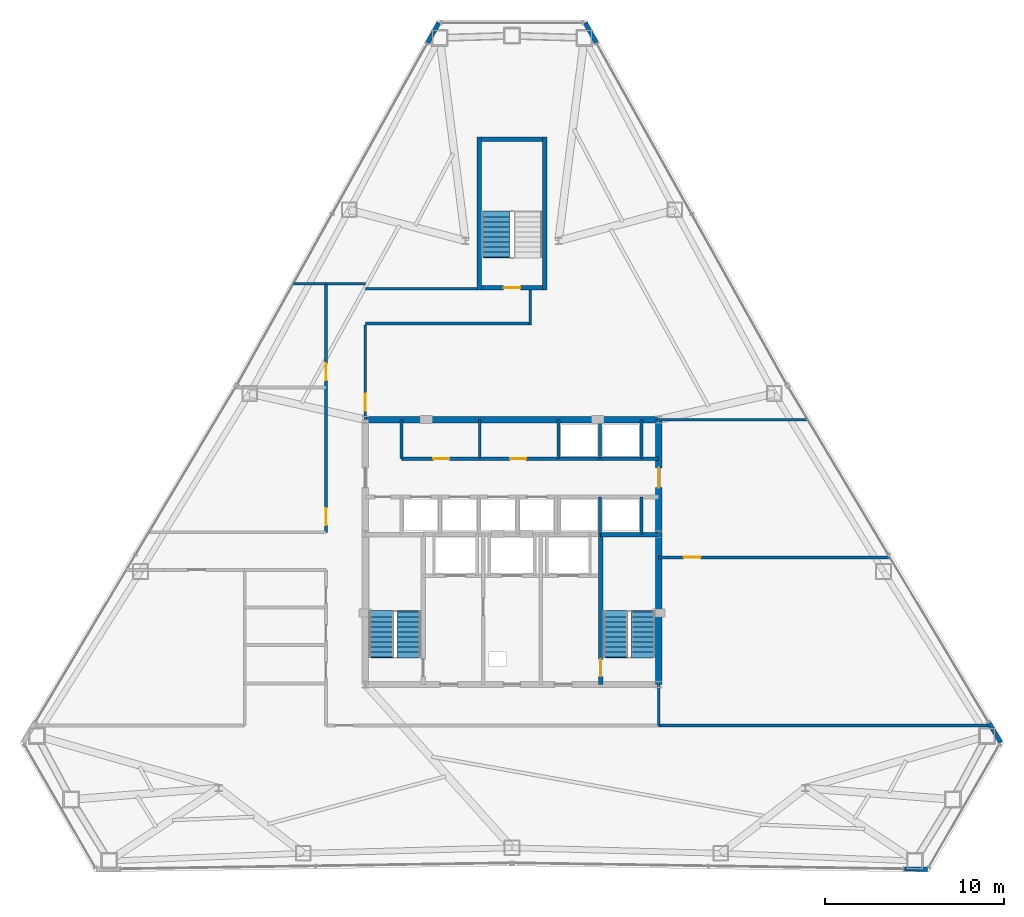
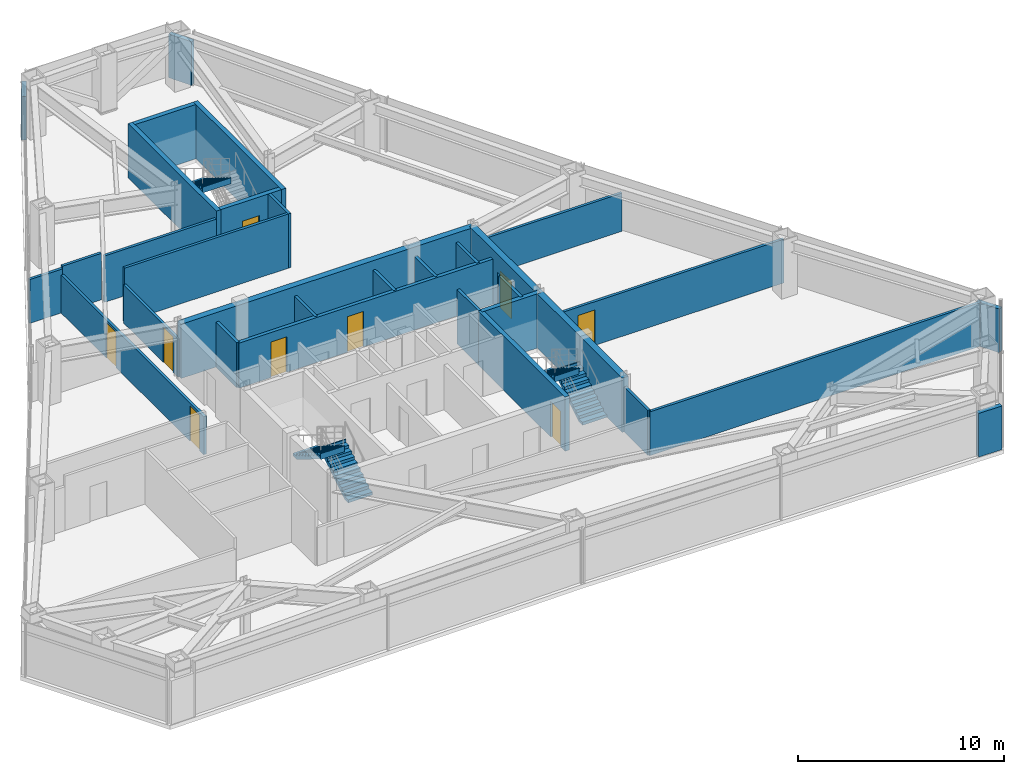
# One storey, part 11 of 13: 31 walls, 9 doors, 5 stair flights, 9 openings, 3 elements without a shape of their own.
"""IFC4 building model written with IfcOpenShell, lengths in metres."""

from ifc_helpers import new_model, si_unit, direction, frame, frame_2d, origin, place, context, subcontext, project, spatial, polyline, rectangle, outline, extrude, material, layer, layer_set, type_object, element, fill, aggregate, save


model = new_model("IFC4")

# Units and contexts
model_context = context("Model", 3, precision=1e-05, world=origin(), true_north=direction((0.0, 1.0)))
body_context = subcontext(model_context, "Body", "Model", "MODEL_VIEW")
ifc_project = project(units=[si_unit("LENGTHUNIT", "METRE"), si_unit("AREAUNIT", "SQUARE_METRE"), si_unit("VOLUMEUNIT", "CUBIC_METRE"), si_unit("PLANEANGLEUNIT", "RADIAN"), si_unit("MASSUNIT", "GRAM", prefix="KILO")], contexts=[model_context])

# Site, building, storey
site_placement = place(None, origin())
site = spatial("IfcSite", under=ifc_project, at=site_placement, CompositionType="ELEMENT")
building_placement = place(site_placement, origin())
building = spatial("IfcBuilding", under=site, at=building_placement, Name="Varakhsha Concourse Tower", CompositionType="ELEMENT")
storey_placement = place(building_placement, frame((0.0, 0.0, 143.60009765625)))
storey = spatial("IfcBuildingStorey", under=building, at=storey_placement, Name="L41", CompositionType="ELEMENT", Elevation=143.60009765625)

# Wall
ifc_material_1 = material(Name="Concrete fc 65 MPa", Category="concrete")
ifc_layer_1 = layer(ifc_material_1, 0.35009765625, Name="WL-CORE-350")
ifc_layer_set_1 = layer_set([ifc_layer_1], Name="Concrete fc 65 MPa")
wall_type_1 = type_object("IfcWallType", Name="WL-CORE-350", PredefinedType="SHEAR", material=ifc_layer_set_1)
wall_1_placement = place(storey_placement, frame((31.800048828125, 31.199951171875, 0.0), z_axis=(0.0, 0.0, 1.0), x_axis=(1.0, 0.0, 0.0)))
element("IfcWall", 1, at=wall_1_placement, inside=storey, type_object=wall_type_1, Name="L41 Wall CWALL-N-L41", PredefinedType="SHEAR", context=body_context, shape_type="SweptSolid", body=[
    extrude(rectangle(XDim=16.39990234375, YDim=0.35009765625, at=frame_2d((8.199951171875, 0.0))), origin(), (0.0, 0.0, 1.0), 3.2099609375),
])

# Wall, opening, door
wall_2_placement = place(storey_placement, frame((48.199951171875, 16.39990234375, 0.0), z_axis=(0.0, 0.0, 1.0), x_axis=(0.0, 1.0, 0.0)))
wall_2 = element("IfcWall", 2, at=wall_2_placement, inside=storey, type_object=wall_type_1, Name="L41 Wall CWALL-E-L41", PredefinedType="SHEAR", context=body_context, shape_type="SweptSolid", body=[
    extrude(rectangle(XDim=14.800048828125, YDim=0.35009765625, at=frame_2d((7.39990234375, 0.0))), origin(), (0.0, 0.0, 1.0), 3.2099609375),
])
opening_1_placement = place(wall_2_placement, frame((11.0, 0.0, 0.0)))
opening_1 = element("IfcOpeningElement", 3, at=opening_1_placement, cuts=wall_2, Name="Opening DL-01", PredefinedType="OPENING", context=body_context, shape_type="SweptSolid", body=[
    extrude(rectangle(XDim=1.10009765625, YDim=2.14990234375, at=frame_2d((0.550048828125, 1.074951171875))), frame((0.0, 0.18505859375, 0.0), z_axis=(0.0, -1.0, 0.0), x_axis=(1.0, 0.0, 0.0)), (0.0, 0.0, 1.0), 0.3701171875),
])
ifc_material_2 = material(Name="Anodised Bronze Architectural Aluminium AA 6063-T6", Category="aluminium")
door_type_1 = type_object("IfcDoorType", Name="DR-LOB-1100", OperationType="NOTDEFINED", PredefinedType="DOOR", material=ifc_material_2)
door_1_placement = place(opening_1_placement, origin())
door_1 = element("IfcDoor", 4, at=door_1_placement, inside=storey, type_object=door_type_1, Name="L41 Lift Lobby East Concourse Door", OperationType="SINGLE_SWING_RIGHT", OverallHeight=2.14990234375, OverallWidth=1.10009765625, PredefinedType="DOOR", context=body_context, shape_type="SweptSolid", body=[
    extrude(rectangle(XDim=1.10009765625, YDim=2.14990234375, at=frame_2d((0.550048828125, 1.074951171875))), frame((0.0, 0.02490234375, 0.0), z_axis=(0.0, -1.0, 0.0), x_axis=(1.0, 0.0, 0.0)), (0.0, 0.0, 1.0), 0.050048828125),
])
fill(opening_1, door_1)

# Walls
ifc_material_3 = material(Name="Concrete fc 45 MPa", Category="concrete")
ifc_layer_2 = layer(ifc_material_3, 0.239990234375, Name="WL-EXT-CRN-240")
ifc_layer_set_2 = layer_set([ifc_layer_2], Name="Concrete fc 45 MPa")
wall_type_2 = type_object("IfcWallType", Name="WL-EXT-CRN-240", PredefinedType="SHEAR", material=ifc_layer_set_2)
for number, where, z_axis, x_axis, name in (
    (5, (35.9111328125, 53.3955078125, 0.0), (0.0, 0.0, 1.0), (-0.486747388301, -0.87354277513, 0.0), "L41 Wind-Corner Shoulder Wall F2"),
    (6, (61.945068359375, 6.080810546875, 0.0), (0.0, 0.0, 1.0), (0.999886185818, -0.015086928492, 0.0), "L41 Wind-Corner Shoulder Wall F6"),
):
    element("IfcWall", number, at=place(storey_placement, frame(where, z_axis=z_axis, x_axis=x_axis)), inside=storey, type_object=wall_type_2, Name=name, PredefinedType="SHEAR", context=body_context, shape_type="SweptSolid", body=[
        extrude(rectangle(XDim=1.294677734375, YDim=0.239990234375, at=frame_2d((0.6474609375, 0.0))), origin(), (0.0, 0.0, 1.0), 2.5830078125),
    ])
wall_3_placement = place(storey_placement, frame((67.328369140625, 13.143310546875, 0.0), z_axis=(0.0, 0.0, 1.0), x_axis=(-0.513024934393, 0.858373704567, 0.0)))
element("IfcWall", 7, at=wall_3_placement, inside=storey, type_object=wall_type_2, Name="L41 Wind-Corner Shoulder Wall F8", PredefinedType="SHEAR", context=body_context, shape_type="SweptSolid", body=[
    extrude(rectangle(XDim=1.29443359375, YDim=0.239990234375, at=frame_2d((0.647216796875, 0.0))), origin(), (0.0, 0.0, 1.0), 2.5830078125),
])
wall_4_placement = place(storey_placement, frame((44.718994140625, 52.2646484375, 0.0), z_axis=(0.0, 0.0, 1.0), x_axis=(-0.486747388301, 0.87354277513, 0.0)))
element("IfcWall", 8, at=wall_4_placement, inside=storey, type_object=wall_type_2, Name="L41 Wind-Corner Shoulder Wall F9", PredefinedType="SHEAR", context=body_context, shape_type="SweptSolid", body=[
    extrude(rectangle(XDim=1.294677734375, YDim=0.239990234375, at=frame_2d((0.6474609375, 0.0))), origin(), (0.0, 0.0, 1.0), 2.5830078125),
])
ifc_material_4 = material(Name="Fire-Rated Type X Gypsum Partition Assembly", Category="gypsum")
ifc_layer_3 = layer(ifc_material_4, 0.14990234375, Name="WL-PART-150")
ifc_layer_set_3 = layer_set([ifc_layer_3], Name="Fire-Rated Type X Gypsum Partition Assembly")
wall_type_3 = type_object("IfcWallType", Name="WL-PART-150", PredefinedType="PARTITIONING", material=ifc_layer_set_3)
wall_5_placement = place(storey_placement, frame((38.199951171875, 29.02001953125, 0.0), z_axis=(0.0, 0.0, 1.0), x_axis=(0.0, 1.0, 0.0)))
element("IfcWall", 9, at=wall_5_placement, inside=storey, type_object=wall_type_3, Name="L41 Wall P1F-D1-L41", PredefinedType="PARTITIONING", context=body_context, shape_type="SweptSolid", body=[
    extrude(rectangle(XDim=2.179931640625, YDim=0.14990234375, at=frame_2d((1.08984375, 0.0))), origin(), (0.0, 0.0, 1.0), 2.660888671875),
])
wall_6_placement = place(storey_placement, frame((48.199951171875, 14.10009765625, 0.0), z_axis=(0.0, 0.0, 1.0), x_axis=(0.0, 1.0, 0.0)))
element("IfcWall", 10, at=wall_6_placement, inside=storey, type_object=wall_type_3, Name="L41 Wall CRW-SE-L41", PredefinedType="PARTITIONING", context=body_context, shape_type="SweptSolid", body=[
    extrude(rectangle(XDim=2.2998046875, YDim=0.14990234375, at=frame_2d((1.14990234375, 0.0))), origin(), (0.0, 0.0, 1.0), 2.660888671875),
])

# Wall, openings, doors
wall_7_placement = place(storey_placement, frame((29.60009765625, 24.89990234375, 0.0), z_axis=(0.0, 0.0, 1.0), x_axis=(0.0, 1.0, 0.0)))
wall_7 = element("IfcWall", 11, at=wall_7_placement, inside=storey, type_object=wall_type_3, Name="L41 Wall CRW-WN-L41", PredefinedType="PARTITIONING", context=body_context, shape_type="SweptSolid", body=[
    extrude(rectangle(XDim=13.900146484375, YDim=0.14990234375, at=frame_2d((6.9501953125, 0.0))), origin(), (0.0, 0.0, 1.0), 2.251953125),
])
opening_2_placement = place(wall_7_placement, frame((0.39990234375, 0.0, 0.0)))
opening_2 = element("IfcOpeningElement", 12, at=opening_2_placement, cuts=wall_7, Name="Opening DF-05", PredefinedType="OPENING", context=body_context, shape_type="SweptSolid", body=[
    extrude(rectangle(XDim=0.949951171875, YDim=2.10009765625, at=frame_2d((0.47509765625, 1.050048828125))), frame((0.0, 0.0849609375, 0.0), z_axis=(0.0, -1.0, 0.0), x_axis=(1.0, 0.0, 0.0)), (0.0, 0.0, 1.0), 0.169921875),
])
opening_3_placement = place(wall_7_placement, frame((8.5, 0.0, 0.0)))
opening_3 = element("IfcOpeningElement", 13, at=opening_3_placement, cuts=wall_7, Name="Opening DF-05", PredefinedType="OPENING", context=body_context, shape_type="SweptSolid", body=[
    extrude(rectangle(XDim=0.949951171875, YDim=2.10009765625, at=frame_2d((0.47509765625, 1.050048828125))), frame((0.0, 0.0849609375, 0.0), z_axis=(0.0, -1.0, 0.0), x_axis=(1.0, 0.0, 0.0)), (0.0, 0.0, 1.0), 0.169921875),
])
ifc_material_5 = material(Name="Hollow Galvanised Steel Fire Door Assembly", Category="steel")
door_type_2 = type_object("IfcDoorType", Name="DR-FD60-950", OperationType="NOTDEFINED", PredefinedType="DOOR", material=ifc_material_5)
door_2_placement = place(opening_2_placement, origin())
door_2 = element("IfcDoor", 14, at=door_2_placement, inside=storey, type_object=door_type_2, Name="L41 Institutional Client Office L41-NW Door", OperationType="SINGLE_SWING_RIGHT", OverallHeight=2.10009765625, OverallWidth=0.949951171875, PredefinedType="DOOR", context=body_context, shape_type="SweptSolid", body=[
    extrude(rectangle(XDim=0.949951171875, YDim=2.10009765625, at=frame_2d((0.47509765625, 1.050048828125))), frame((0.0, 0.02490234375, 0.0), z_axis=(0.0, -1.0, 0.0), x_axis=(1.0, 0.0, 0.0)), (0.0, 0.0, 1.0), 0.050048828125),
])
fill(opening_2, door_2)
door_3_placement = place(opening_3_placement, origin())
door_3 = element("IfcDoor", 15, at=door_3_placement, inside=storey, type_object=door_type_2, Name="L41 Quantitative Analytics Studio L41-W2 Door", OperationType="SINGLE_SWING_LEFT", OverallHeight=2.10009765625, OverallWidth=0.949951171875, PredefinedType="DOOR", context=body_context, shape_type="SweptSolid", body=[
    extrude(rectangle(XDim=0.949951171875, YDim=2.10009765625, at=frame_2d((0.47509765625, 1.050048828125))), frame((0.0, 0.02490234375, 0.0), z_axis=(0.0, -1.0, 0.0), x_axis=(1.0, 0.0, 0.0)), (0.0, 0.0, 1.0), 0.050048828125),
])
fill(opening_3, door_3)

# Wall, opening, door
wall_8_placement = place(storey_placement, frame((31.800048828125, 31.199951171875, 0.0), z_axis=(0.0, 0.0, 1.0), x_axis=(0.0, 1.0, 0.0)))
wall_8 = element("IfcWall", 16, at=wall_8_placement, inside=storey, type_object=wall_type_3, Name="L41 Wall CRW-NE-L41", PredefinedType="PARTITIONING", context=body_context, shape_type="SweptSolid", body=[
    extrude(rectangle(XDim=5.300048828125, YDim=0.14990234375, at=frame_2d((2.64990234375, 0.0))), origin(), (0.0, 0.0, 1.0), 2.251953125),
])
opening_4_placement = place(wall_8_placement, frame((0.5, 0.0, 0.0)))
opening_4 = element("IfcOpeningElement", 17, at=opening_4_placement, cuts=wall_8, Name="Opening DF-05", PredefinedType="OPENING", context=body_context, shape_type="SweptSolid", body=[
    extrude(rectangle(XDim=0.949951171875, YDim=2.10009765625, at=frame_2d((0.47509765625, 1.050048828125))), frame((0.0, 0.0849609375, 0.0), z_axis=(0.0, -1.0, 0.0), x_axis=(1.0, 0.0, 0.0)), (0.0, 0.0, 1.0), 0.169921875),
])
door_4_placement = place(opening_4_placement, origin())
door_4 = element("IfcDoor", 18, at=door_4_placement, inside=storey, type_object=door_type_2, Name="L41 Mountain View Portfolio Risk Office L41-NE1 Door", OperationType="SINGLE_SWING_RIGHT", OverallHeight=2.10009765625, OverallWidth=0.949951171875, PredefinedType="DOOR", context=body_context, shape_type="SweptSolid", body=[
    extrude(rectangle(XDim=0.949951171875, YDim=2.10009765625, at=frame_2d((0.47509765625, 1.050048828125))), frame((0.0, 0.02490234375, 0.0), z_axis=(0.0, -1.0, 0.0), x_axis=(1.0, 0.0, 0.0)), (0.0, 0.0, 1.0), 0.050048828125),
])
fill(opening_4, door_4)

# Walls
wall_9_placement = place(storey_placement, frame((29.60009765625, 38.800048828125, 0.0), z_axis=(0.0, 0.0, 1.0), x_axis=(1.0, 0.0, 0.0)))
element("IfcWall", 19, at=wall_9_placement, inside=storey, type_object=wall_type_3, Name="L41 Wall CRW-NCAP-L41", PredefinedType="PARTITIONING", context=body_context, shape_type="SweptSolid", body=[
    extrude(rectangle(XDim=2.199951171875, YDim=0.14990234375, at=frame_2d((1.10009765625, 0.0))), origin(), (0.0, 0.0, 1.0), 2.742919921875),
])
wall_10_placement = place(storey_placement, frame((27.781005859375, 38.800048828125, 0.0), z_axis=(0.0, 0.0, 1.0), x_axis=(1.0, 0.0, 0.0)))
element("IfcWall", 20, at=wall_10_placement, inside=storey, type_object=wall_type_3, Name="L41 Wall ODIV-NWT-L41", PredefinedType="PARTITIONING", context=body_context, shape_type="SweptSolid", body=[
    extrude(rectangle(XDim=1.819091796875, YDim=0.14990234375, at=frame_2d((0.90966796875, 0.0))), origin(), (0.0, 0.0, 1.0), 2.5888671875),
])
wall_11_placement = place(storey_placement, frame((48.199951171875, 31.199951171875, 0.0), z_axis=(0.0, 0.0, 1.0), x_axis=(1.0, 0.0, 0.0)))
element("IfcWall", 21, at=wall_11_placement, inside=storey, type_object=wall_type_3, Name="L41 Wall ODIV-NEB-L41", PredefinedType="PARTITIONING", context=body_context, shape_type="SweptSolid", body=[
    extrude(rectangle(XDim=8.33154296875, YDim=0.14990234375, at=frame_2d((4.165771484375, 0.0))), origin(), (0.0, 0.0, 1.0), 2.251953125),
])
wall_12_placement = place(storey_placement, frame((48.199951171875, 14.10009765625, 0.0), z_axis=(0.0, 0.0, 1.0), x_axis=(1.0, 0.0, 0.0)))
element("IfcWall", 22, at=wall_12_placement, inside=storey, type_object=wall_type_3, Name="L41 Wall ODIV-EB0-L41", PredefinedType="PARTITIONING", context=body_context, shape_type="SweptSolid", body=[
    extrude(rectangle(XDim=18.55078125, YDim=0.14990234375, at=frame_2d((9.275390625, 0.0))), origin(), (0.0, 0.0, 1.0), 2.5888671875),
])

# Wall, opening, door
wall_13_placement = place(storey_placement, frame((48.199951171875, 23.5, 0.0), z_axis=(0.0, 0.0, 1.0), x_axis=(1.0, 0.0, 0.0)))
wall_13 = element("IfcWall", 23, at=wall_13_placement, inside=storey, type_object=wall_type_3, Name="L41 Wall ODIV-E1-L41", PredefinedType="PARTITIONING", context=body_context, shape_type="SweptSolid", body=[
    extrude(rectangle(XDim=12.933349609375, YDim=0.14990234375, at=frame_2d((6.466796875, 0.0))), origin(), (0.0, 0.0, 1.0), 2.5888671875),
])
opening_5_placement = place(wall_13_placement, frame((1.39990234375, 0.0, 0.0)))
opening_5 = element("IfcOpeningElement", 24, at=opening_5_placement, cuts=wall_13, Name="Opening DF-05", PredefinedType="OPENING", context=body_context, shape_type="SweptSolid", body=[
    extrude(rectangle(XDim=0.949951171875, YDim=2.10009765625, at=frame_2d((0.47509765625, 1.050048828125))), frame((0.0, 0.0849609375, 0.0), z_axis=(0.0, -1.0, 0.0), x_axis=(1.0, 0.0, 0.0)), (0.0, 0.0, 1.0), 0.169921875),
])
door_5_placement = place(opening_5_placement, origin())
door_5 = element("IfcDoor", 25, at=door_5_placement, inside=storey, type_object=door_type_2, Name="L41 East Suite Interconnect Door 1", OperationType="SINGLE_SWING_LEFT", OverallHeight=2.10009765625, OverallWidth=0.949951171875, PredefinedType="DOOR", context=body_context, shape_type="SweptSolid", body=[
    extrude(rectangle(XDim=0.949951171875, YDim=2.10009765625, at=frame_2d((0.47509765625, 1.050048828125))), frame((0.0, 0.02490234375, 0.0), z_axis=(0.0, -1.0, 0.0), x_axis=(1.0, 0.0, 0.0)), (0.0, 0.0, 1.0), 0.050048828125),
])
fill(opening_5, door_5)

# Walls
wall_14_placement = place(storey_placement, frame((31.800048828125, 36.574951171875, 0.0), z_axis=(0.0, 0.0, 1.0), x_axis=(1.0, 0.0, 0.0)))
element("IfcWall", 26, at=wall_14_placement, inside=storey, type_object=wall_type_3, Name="L41 Wall STLK-S-L41", PredefinedType="PARTITIONING", context=body_context, shape_type="SweptSolid", body=[
    extrude(rectangle(XDim=9.14990234375, YDim=0.14990234375, at=frame_2d((4.574951171875, 0.0))), origin(), (0.0, 0.0, 1.0), 3.2099609375),
])
wall_15_placement = place(storey_placement, frame((31.800048828125, 38.52490234375, 0.0), z_axis=(0.0, 0.0, 1.0), x_axis=(1.0, 0.0, 0.0)))
element("IfcWall", 27, at=wall_15_placement, inside=storey, type_object=wall_type_3, Name="L41 Wall STLK-N-L41", PredefinedType="PARTITIONING", context=body_context, shape_type="SweptSolid", body=[
    extrude(rectangle(XDim=6.25, YDim=0.14990234375, at=frame_2d((3.125, 0.0))), origin(), (0.0, 0.0, 1.0), 2.742919921875),
])
wall_16_placement = place(storey_placement, frame((41.02490234375, 36.5, 0.0), z_axis=(0.0, 0.0, 1.0), x_axis=(0.0, 1.0, 0.0)))
element("IfcWall", 28, at=wall_16_placement, inside=storey, type_object=wall_type_3, Name="L41 Wall STLK-E-L41", PredefinedType="PARTITIONING", context=body_context, shape_type="SweptSolid", body=[
    extrude(rectangle(XDim=1.949951171875, YDim=0.14990234375, at=frame_2d((0.97509765625, 0.0))), origin(), (0.0, 0.0, 1.0), 3.2099609375),
])

# Wall, openings, doors
ifc_layer_4 = layer(ifc_material_4, 0.199951171875, Name="WL-SHAFT-220")
ifc_layer_set_4 = layer_set([ifc_layer_4], Name="Fire-Rated Type X Gypsum Partition Assembly")
wall_type_4 = type_object("IfcWallType", Name="WL-SHAFT-220", PredefinedType="SOLIDWALL", material=ifc_layer_set_4)
wall_17_placement = place(storey_placement, frame((33.820068359375, 29.02001953125, 0.0), z_axis=(0.0, 0.0, 1.0), x_axis=(1.0, 0.0, 0.0)))
wall_17 = element("IfcWall", 29, at=wall_17_placement, inside=storey, type_object=wall_type_4, Name="L41 Wall PLW-N-L41", PredefinedType="SOLIDWALL", context=body_context, shape_type="SweptSolid", body=[
    extrude(rectangle(XDim=14.3798828125, YDim=0.199951171875, at=frame_2d((7.18994140625, 0.0))), origin(), (0.0, 0.0, 1.0), 2.660888671875),
])
opening_6_placement = place(wall_17_placement, frame((1.780029296875, 0.0, 0.0)))
opening_6 = element("IfcOpeningElement", 30, at=opening_6_placement, cuts=wall_17, Name="Opening DF-06", PredefinedType="OPENING", context=body_context, shape_type="SweptSolid", body=[
    extrude(rectangle(XDim=0.89990234375, YDim=2.10009765625, at=frame_2d((0.449951171875, 1.050048828125))), frame((0.0, 0.10986328125, 0.0), z_axis=(0.0, -1.0, 0.0), x_axis=(1.0, 0.0, 0.0)), (0.0, 0.0, 1.0), 0.219970703125),
])
opening_7_placement = place(wall_17_placement, frame((6.070068359375, 0.0, 0.0)))
opening_7 = element("IfcOpeningElement", 31, at=opening_7_placement, cuts=wall_17, Name="Opening DF-06", PredefinedType="OPENING", context=body_context, shape_type="SweptSolid", body=[
    extrude(rectangle(XDim=0.89990234375, YDim=2.10009765625, at=frame_2d((0.449951171875, 1.050048828125))), frame((0.0, 0.10986328125, 0.0), z_axis=(0.0, -1.0, 0.0), x_axis=(1.0, 0.0, 0.0)), (0.0, 0.0, 1.0), 0.219970703125),
])
door_type_3 = type_object("IfcDoorType", Name="DR-FD60-900", OperationType="NOTDEFINED", PredefinedType="DOOR", material=ifc_material_5)
door_6_placement = place(opening_6_placement, origin())
door_6 = element("IfcDoor", 32, at=door_6_placement, inside=storey, type_object=door_type_3, Name="L41 Tenant Archive and IT Server Room Door", OperationType="SINGLE_SWING_LEFT", OverallHeight=2.10009765625, OverallWidth=0.89990234375, PredefinedType="DOOR", context=body_context, shape_type="SweptSolid", body=[
    extrude(rectangle(XDim=0.89990234375, YDim=2.10009765625, at=frame_2d((0.449951171875, 1.050048828125))), frame((0.0, 0.02490234375, 0.0), z_axis=(0.0, -1.0, 0.0), x_axis=(1.0, 0.0, 0.0)), (0.0, 0.0, 1.0), 0.050048828125),
])
fill(opening_6, door_6)
door_7_placement = place(opening_7_placement, origin())
door_7 = element("IfcDoor", 33, at=door_7_placement, inside=storey, type_object=door_type_3, Name="L41 Core Facility Closet N1 Door", OperationType="SINGLE_SWING_RIGHT", OverallHeight=2.10009765625, OverallWidth=0.89990234375, PredefinedType="DOOR", context=body_context, shape_type="SweptSolid", body=[
    extrude(rectangle(XDim=0.89990234375, YDim=2.10009765625, at=frame_2d((0.449951171875, 1.050048828125))), frame((0.0, 0.02490234375, 0.0), z_axis=(0.0, -1.0, 0.0), x_axis=(1.0, 0.0, 0.0)), (0.0, 0.0, 1.0), 0.050048828125),
])
fill(opening_7, door_7)

# Walls
for number, where, z_axis, x_axis, name in (
    (34, (33.820068359375, 29.02001953125, 0.0), (0.0, 0.0, 1.0), (0.0, 1.0, 0.0), "L41 Wall WBOH-E1-L41"),
    (35, (42.60009765625, 29.02001953125, 0.0), (0.0, 0.0, 1.0), (0.0, 1.0, 0.0), "L41 Wall SHW-LF-P09-W-L41"),
    (36, (44.919921875, 29.02001953125, 0.0), (0.0, 0.0, 1.0), (0.0, 1.0, 0.0), "L41 Wall SHW-LF-P09-E-L41"),
    (37, (47.239990234375, 29.02001953125, 0.0), (0.0, 0.0, 1.0), (0.0, 1.0, 0.0), "L41 Wall SHW-LF-P10-E-L41"),
):
    element("IfcWall", number, at=place(storey_placement, frame(where, z_axis=z_axis, x_axis=x_axis)), inside=storey, type_object=wall_type_4, Name=name, PredefinedType="SOLIDWALL", context=body_context, shape_type="SweptSolid", body=[
        extrude(rectangle(XDim=2.179931640625, YDim=0.159912109375, at=frame_2d((1.08984375, 0.0))), origin(), (0.0, 0.0, 1.0), 2.660888671875),
    ])
for number, where, z_axis, x_axis, name in (
    (38, (44.919921875, 24.800048828125, 0.0), (0.0, 0.0, 1.0), (0.0, 1.0, 0.0), "L41 Wall SHW-LF-P11-E-L41"),
    (39, (47.239990234375, 24.800048828125, 0.0), (0.0, 0.0, 1.0), (0.0, 1.0, 0.0), "L41 Wall SHW-LF-P12-E-L41"),
):
    element("IfcWall", number, at=place(storey_placement, frame(where, z_axis=z_axis, x_axis=x_axis)), inside=storey, type_object=wall_type_4, Name=name, PredefinedType="SOLIDWALL", context=body_context, shape_type="SweptSolid", body=[
        extrude(rectangle(XDim=2.079833984375, YDim=0.159912109375, at=frame_2d((1.0400390625, 0.0))), origin(), (0.0, 0.0, 1.0), 3.2099609375),
    ])

# Wall, opening, door
ifc_layer_5 = layer(ifc_material_3, 0.25, Name="WL-STAIR-250")
ifc_layer_set_5 = layer_set([ifc_layer_5], Name="Concrete fc 45 MPa")
wall_type_5 = type_object("IfcWallType", Name="WL-STAIR-250", PredefinedType="SHEAR", material=ifc_layer_set_5)
wall_18_placement = place(storey_placement, frame((44.955078125, 16.39990234375, 0.0), z_axis=(0.0, 0.0, 1.0), x_axis=(0.0, 1.0, 0.0)))
wall_18 = element("IfcWall", 40, at=wall_18_placement, inside=storey, type_object=wall_type_5, Name="L41 Wall SWALL-ST2-W-L41", PredefinedType="SHEAR", context=body_context, shape_type="SweptSolid", body=[
    extrude(rectangle(XDim=8.400146484375, YDim=0.25, at=frame_2d((4.2001953125, 0.0))), origin(), (0.0, 0.0, 1.0), 3.2099609375),
])
opening_8_placement = place(wall_18_placement, frame((0.449951171875, 0.0, 0.0)))
opening_8 = element("IfcOpeningElement", 41, at=opening_8_placement, cuts=wall_18, Name="Opening DF-03", PredefinedType="OPENING", context=body_context, shape_type="SweptSolid", body=[
    extrude(rectangle(XDim=0.949951171875, YDim=2.10009765625, at=frame_2d((0.47509765625, 1.050048828125))), frame((0.0, 0.135009765625, 0.0), z_axis=(0.0, -1.0, 0.0), x_axis=(1.0, 0.0, 0.0)), (0.0, 0.0, 1.0), 0.27001953125),
])
door_type_4 = type_object("IfcDoorType", Name="DR-FD90-950", OperationType="NOTDEFINED", PredefinedType="DOOR", material=ifc_material_5)
door_8_placement = place(opening_8_placement, origin())
door_8 = element("IfcDoor", 42, at=door_8_placement, inside=storey, type_object=door_type_4, Name="L41 Stair ST2 Fire Door", OperationType="SINGLE_SWING_RIGHT", OverallHeight=2.10009765625, OverallWidth=0.949951171875, PredefinedType="DOOR", context=body_context, shape_type="SweptSolid", body=[
    extrude(rectangle(XDim=0.949951171875, YDim=2.10009765625, at=frame_2d((0.47509765625, 1.050048828125))), frame((0.0, 0.02490234375, 0.0), z_axis=(0.0, -1.0, 0.0), x_axis=(1.0, 0.0, 0.0)), (0.0, 0.0, 1.0), 0.050048828125),
])
fill(opening_8, door_8)

# Walls
wall_19_placement = place(storey_placement, frame((44.955078125, 24.7548828125, 0.0), z_axis=(0.0, 0.0, 1.0), x_axis=(1.0, 0.0, 0.0)))
element("IfcWall", 43, at=wall_19_placement, inside=storey, type_object=wall_type_5, Name="L41 Wall SWALL-ST2-N-L41", PredefinedType="SHEAR", context=body_context, shape_type="SweptSolid", body=[
    extrude(rectangle(XDim=3.244873046875, YDim=0.25, at=frame_2d((1.62255859375, 0.0))), origin(), (0.0, 0.0, 1.0), 3.2099609375),
])
for number, where, z_axis, x_axis, name in (
    (44, (38.175048828125, 38.449951171875, 0.0), (0.0, 0.0, 1.0), (0.0, 1.0, 0.0), "L41 Wall SWALL-ST5-W-L41"),
    (45, (41.824951171875, 38.449951171875, 0.0), (0.0, 0.0, 1.0), (0.0, 1.0, 0.0), "L41 Wall SWALL-ST5-E-L41"),
):
    element("IfcWall", number, at=place(storey_placement, frame(where, z_axis=z_axis, x_axis=x_axis)), inside=storey, type_object=wall_type_5, Name=name, PredefinedType="SHEAR", context=body_context, shape_type="SweptSolid", body=[
        extrude(rectangle(XDim=8.550048828125, YDim=0.25, at=frame_2d((4.27490234375, 0.0))), origin(), (0.0, 0.0, 1.0), 3.2099609375),
    ])

# Wall, opening, door
wall_20_placement = place(storey_placement, frame((38.300048828125, 38.574951171875, 0.0), z_axis=(0.0, 0.0, 1.0), x_axis=(1.0, 0.0, 0.0)))
wall_20 = element("IfcWall", 46, at=wall_20_placement, inside=storey, type_object=wall_type_5, Name="L41 Wall SWALL-ST5-S-L41", PredefinedType="SHEAR", context=body_context, shape_type="SweptSolid", body=[
    extrude(rectangle(XDim=3.39990234375, YDim=0.25, at=frame_2d((1.699951171875, 0.0))), origin(), (0.0, 0.0, 1.0), 3.2099609375),
])
opening_9_placement = place(wall_20_placement, frame((1.22509765625, 0.0, 0.0)))
opening_9 = element("IfcOpeningElement", 47, at=opening_9_placement, cuts=wall_20, Name="Opening DF-03", PredefinedType="OPENING", context=body_context, shape_type="SweptSolid", body=[
    extrude(rectangle(XDim=0.949951171875, YDim=2.10009765625, at=frame_2d((0.47509765625, 1.050048828125))), frame((0.0, 0.135009765625, 0.0), z_axis=(0.0, -1.0, 0.0), x_axis=(1.0, 0.0, 0.0)), (0.0, 0.0, 1.0), 0.27001953125),
])
door_9_placement = place(opening_9_placement, origin())
door_9 = element("IfcDoor", 48, at=door_9_placement, inside=storey, type_object=door_type_4, Name="L41 Stair ST5 Fire Door", OperationType="SINGLE_SWING_RIGHT", OverallHeight=2.10009765625, OverallWidth=0.949951171875, PredefinedType="DOOR", context=body_context, shape_type="SweptSolid", body=[
    extrude(rectangle(XDim=0.949951171875, YDim=2.10009765625, at=frame_2d((0.47509765625, 1.050048828125))), frame((0.0, 0.02490234375, 0.0), z_axis=(0.0, -1.0, 0.0), x_axis=(1.0, 0.0, 0.0)), (0.0, 0.0, 1.0), 0.050048828125),
])
fill(opening_9, door_9)

# Wall
wall_21_placement = place(storey_placement, frame((38.300048828125, 46.875, 0.0), z_axis=(0.0, 0.0, 1.0), x_axis=(1.0, 0.0, 0.0)))
element("IfcWall", 49, at=wall_21_placement, inside=storey, type_object=wall_type_5, Name="L41 Wall SWALL-ST5-N-L41", PredefinedType="SHEAR", context=body_context, shape_type="SweptSolid", body=[
    extrude(rectangle(XDim=3.39990234375, YDim=0.25, at=frame_2d((1.699951171875, 0.0))), origin(), (0.0, 0.0, 1.0), 3.2099609375),
])

# Stair, stair flights
stair_type_1 = type_object("IfcStairType", Name="ST-DOGLEG-1360", PredefinedType="HALF_TURN_STAIR", material=ifc_material_3)
stair_1_placement = place(storey_placement, origin())
stair_1 = element("IfcStair", 50, at=stair_1_placement, inside=storey, type_object=stair_type_1, Name="L41 Protected Exit Stair ST1", PredefinedType="HALF_TURN_STAIR")
stair_flight_type_1 = type_object("IfcStairFlightType", Name="STF-1360-R1725", PredefinedType="STRAIGHT", material=ifc_material_3)
stair_flight_1_placement = place(storey_placement, frame((34.239990234375, 17.93994140625, 0.0), z_axis=(0.0, 0.0, 1.0), x_axis=(0.0, 1.0, 0.0)))
stair_flight_1 = element("IfcStairFlight", 51, at=stair_flight_1_placement, type_object=stair_flight_type_1, Name="ST1 flight 1", NumberOfRisers=10, NumberOfTreads=9, PredefinedType="STRAIGHT", RiserHeight=0.1725, TreadLength=0.28, context=body_context, shape_type="SweptSolid", body=[
    extrude(outline(polyline([(-0.06005859375, 0.0), (-0.06005859375, 0.172607421875), (0.0, 0.172607421875), (0.280029296875, 0.172607421875), (0.280029296875, 0.344970703125), (0.56005859375, 0.344970703125), (0.56005859375, 0.517578125), (0.840087890625, 0.517578125), (0.840087890625, 0.68994140625), (1.1201171875, 0.68994140625), (1.1201171875, 0.862548828125), (1.39990234375, 0.862548828125), (1.39990234375, 1.034912109375), (1.679931640625, 1.034912109375), (1.679931640625, 1.20751953125), (1.9599609375, 1.20751953125), (1.9599609375, 1.3798828125), (2.239990234375, 1.3798828125), (2.239990234375, 1.552490234375), (2.52001953125, 1.552490234375), (2.52001953125, 1.72509765625), (2.580078125, 1.72509765625), (2.580078125, 1.37646484375), (2.52001953125, 1.37646484375), (0.285888671875, 0.0), (-0.06005859375, 0.0)])), frame((0.0, 0.68017578125, 0.0), z_axis=(0.0, -1.0, 0.0), x_axis=(1.0, 0.0, 0.0)), (0.0, 0.0, 1.0), 1.360107421875),
])
stair_flight_2_placement = place(storey_placement, frame((32.679931640625, 20.4599609375, 1.724853515625), z_axis=(0.0, 0.0, 1.0), x_axis=(0.0, -1.0, 0.0)))
stair_flight_2 = element("IfcStairFlight", 52, at=stair_flight_2_placement, type_object=stair_flight_type_1, Name="ST1 flight 2", NumberOfRisers=10, NumberOfTreads=9, PredefinedType="STRAIGHT", RiserHeight=0.1725, TreadLength=0.28, context=body_context, shape_type="SweptSolid", body=[
    extrude(outline(polyline([(-0.06005859375, 0.0), (-0.06005859375, 0.172607421875), (0.0, 0.172607421875), (0.280029296875, 0.172607421875), (0.280029296875, 0.344970703125), (0.56005859375, 0.344970703125), (0.56005859375, 0.517578125), (0.840087890625, 0.517578125), (0.840087890625, 0.68994140625), (1.1201171875, 0.68994140625), (1.1201171875, 0.862548828125), (1.39990234375, 0.862548828125), (1.39990234375, 1.034912109375), (1.679931640625, 1.034912109375), (1.679931640625, 1.20751953125), (1.9599609375, 1.20751953125), (1.9599609375, 1.3798828125), (2.239990234375, 1.3798828125), (2.239990234375, 1.552490234375), (2.52001953125, 1.552490234375), (2.52001953125, 1.72509765625), (2.580078125, 1.72509765625), (2.580078125, 1.37646484375), (2.52001953125, 1.37646484375), (0.285888671875, 0.0), (-0.06005859375, 0.0)])), frame((0.0, 0.68017578125, 0.0), z_axis=(0.0, -1.0, 0.0), x_axis=(1.0, 0.0, 0.0)), (0.0, 0.0, 1.0), 1.360107421875),
])
aggregate(stair_1, [stair_flight_1, stair_flight_2])

stair_2_placement = place(storey_placement, origin())
stair_2 = element("IfcStair", 53, at=stair_2_placement, inside=storey, type_object=stair_type_1, Name="L41 Protected Exit Stair ST2", PredefinedType="HALF_TURN_STAIR")
stair_flight_3_placement = place(storey_placement, frame((47.340087890625, 17.93994140625, 0.0), z_axis=(0.0, 0.0, 1.0), x_axis=(0.0, 1.0, 0.0)))
stair_flight_3 = element("IfcStairFlight", 54, at=stair_flight_3_placement, type_object=stair_flight_type_1, Name="ST2 flight 1", NumberOfRisers=10, NumberOfTreads=9, PredefinedType="STRAIGHT", RiserHeight=0.1725, TreadLength=0.28, context=body_context, shape_type="SweptSolid", body=[
    extrude(outline(polyline([(-0.06005859375, 0.0), (-0.06005859375, 0.172607421875), (0.0, 0.172607421875), (0.280029296875, 0.172607421875), (0.280029296875, 0.344970703125), (0.56005859375, 0.344970703125), (0.56005859375, 0.517578125), (0.840087890625, 0.517578125), (0.840087890625, 0.68994140625), (1.1201171875, 0.68994140625), (1.1201171875, 0.862548828125), (1.39990234375, 0.862548828125), (1.39990234375, 1.034912109375), (1.679931640625, 1.034912109375), (1.679931640625, 1.20751953125), (1.9599609375, 1.20751953125), (1.9599609375, 1.3798828125), (2.239990234375, 1.3798828125), (2.239990234375, 1.552490234375), (2.52001953125, 1.552490234375), (2.52001953125, 1.72509765625), (2.580078125, 1.72509765625), (2.580078125, 1.37646484375), (2.52001953125, 1.37646484375), (0.285888671875, 0.0), (-0.06005859375, 0.0)])), frame((0.0, 0.68017578125, 0.0), z_axis=(0.0, -1.0, 0.0), x_axis=(1.0, 0.0, 0.0)), (0.0, 0.0, 1.0), 1.360107421875),
])
stair_flight_4_placement = place(storey_placement, frame((45.780029296875, 20.4599609375, 1.724853515625), z_axis=(0.0, 0.0, 1.0), x_axis=(0.0, -1.0, 0.0)))
stair_flight_4 = element("IfcStairFlight", 55, at=stair_flight_4_placement, type_object=stair_flight_type_1, Name="ST2 flight 2", NumberOfRisers=10, NumberOfTreads=9, PredefinedType="STRAIGHT", RiserHeight=0.1725, TreadLength=0.28, context=body_context, shape_type="SweptSolid", body=[
    extrude(outline(polyline([(-0.06005859375, 0.0), (-0.06005859375, 0.172607421875), (0.0, 0.172607421875), (0.280029296875, 0.172607421875), (0.280029296875, 0.344970703125), (0.56005859375, 0.344970703125), (0.56005859375, 0.517578125), (0.840087890625, 0.517578125), (0.840087890625, 0.68994140625), (1.1201171875, 0.68994140625), (1.1201171875, 0.862548828125), (1.39990234375, 0.862548828125), (1.39990234375, 1.034912109375), (1.679931640625, 1.034912109375), (1.679931640625, 1.20751953125), (1.9599609375, 1.20751953125), (1.9599609375, 1.3798828125), (2.239990234375, 1.3798828125), (2.239990234375, 1.552490234375), (2.52001953125, 1.552490234375), (2.52001953125, 1.72509765625), (2.580078125, 1.72509765625), (2.580078125, 1.37646484375), (2.52001953125, 1.37646484375), (0.285888671875, 0.0), (-0.06005859375, 0.0)])), frame((0.0, 0.68017578125, 0.0), z_axis=(0.0, -1.0, 0.0), x_axis=(1.0, 0.0, 0.0)), (0.0, 0.0, 1.0), 1.360107421875),
])
aggregate(stair_2, [stair_flight_3, stair_flight_4])

# Stair, stair flight
stair_type_2 = type_object("IfcStairType", Name="ST-DOGLEG-1600", PredefinedType="HALF_TURN_STAIR", material=ifc_material_3)
stair_3_placement = place(storey_placement, origin())
stair_3 = element("IfcStair", 56, at=stair_3_placement, inside=storey, type_object=stair_type_2, Name="L41 Protected Exit Stair ST5", PredefinedType="HALF_TURN_STAIR")
stair_flight_type_2 = type_object("IfcStairFlightType", Name="STF-1600-R1725", PredefinedType="STRAIGHT", material=ifc_material_3)
stair_flight_5_placement = place(storey_placement, frame((39.10009765625, 42.820068359375, 1.724853515625), z_axis=(0.0, 0.0, 1.0), x_axis=(0.0, -1.0, 0.0)))
stair_flight_5 = element("IfcStairFlight", 57, at=stair_flight_5_placement, type_object=stair_flight_type_2, Name="ST5 flight 2", NumberOfRisers=10, NumberOfTreads=9, PredefinedType="STRAIGHT", RiserHeight=0.1725, TreadLength=0.28, context=body_context, shape_type="SweptSolid", body=[
    extrude(outline(polyline([(-0.06005859375, 0.0), (-0.06005859375, 0.172607421875), (0.0, 0.172607421875), (0.280029296875, 0.172607421875), (0.280029296875, 0.344970703125), (0.56005859375, 0.344970703125), (0.56005859375, 0.517578125), (0.840087890625, 0.517578125), (0.840087890625, 0.68994140625), (1.1201171875, 0.68994140625), (1.1201171875, 0.862548828125), (1.39990234375, 0.862548828125), (1.39990234375, 1.034912109375), (1.679931640625, 1.034912109375), (1.679931640625, 1.20751953125), (1.9599609375, 1.20751953125), (1.9599609375, 1.3798828125), (2.239990234375, 1.3798828125), (2.239990234375, 1.552490234375), (2.52001953125, 1.552490234375), (2.52001953125, 1.72509765625), (2.580078125, 1.72509765625), (2.580078125, 1.37646484375), (2.52001953125, 1.37646484375), (0.285888671875, 0.0), (-0.06005859375, 0.0)])), frame((0.0, 0.800048828125, 0.0), z_axis=(0.0, -1.0, 0.0), x_axis=(1.0, 0.0, 0.0)), (0.0, 0.0, 1.0), 1.60009765625),
])
aggregate(stair_3, [stair_flight_5])

save(model, "model.ifc")
